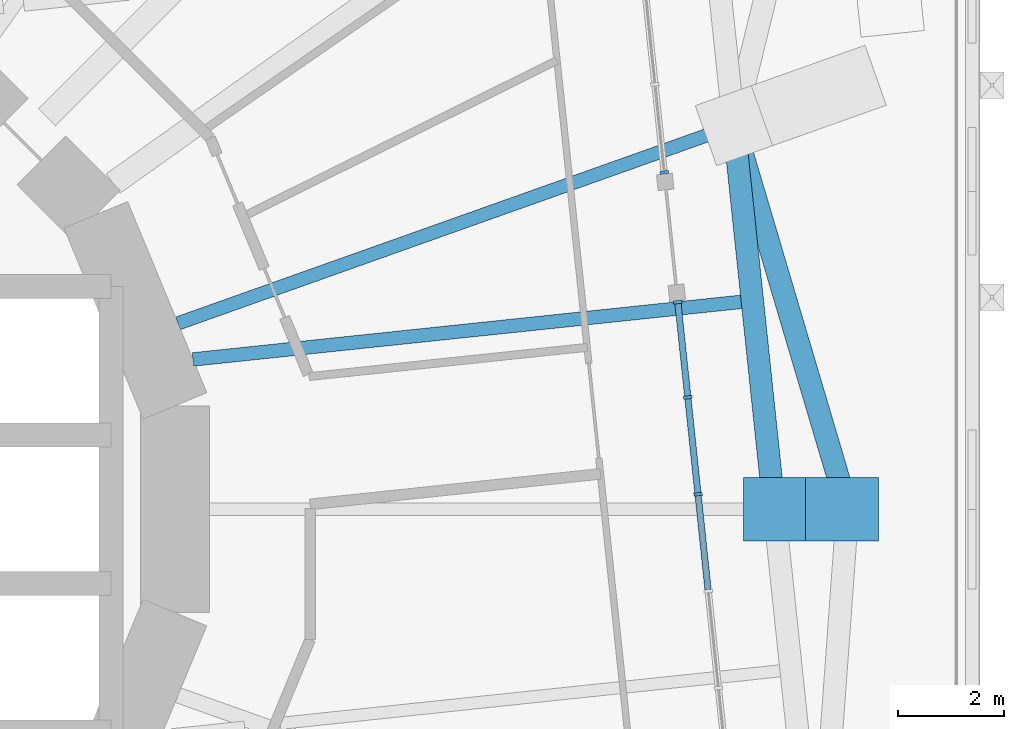
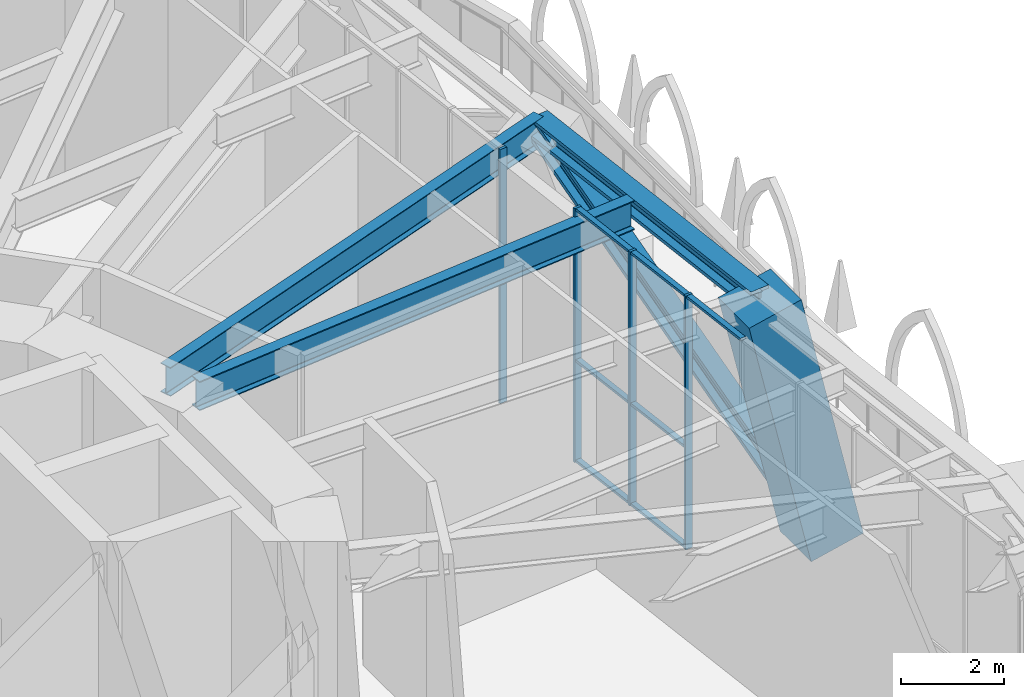
# One storey, part 7 of 20: 14 members, 2 beams, 2 elements without a shape of their own.
"""IFC4 building model written with IfcOpenShell, lengths in metres."""

from ifc_helpers import new_model, si_unit, direction, frame, origin, origin_2d, place, context, subcontext, project, spatial, rectangle, i_section, extrude, material, material_profile, profile_set, type_object, element, aggregate, save


model = new_model("IFC4")

# Units and contexts
model_context = context("Model", 3, precision=1e-05, world=origin(), true_north=direction((0.0, 1.0)))
body_context = subcontext(model_context, "Body", "Model", "MODEL_VIEW")
ifc_project = project(units=[si_unit("LENGTHUNIT", "METRE"), si_unit("AREAUNIT", "SQUARE_METRE"), si_unit("VOLUMEUNIT", "CUBIC_METRE"), si_unit("PLANEANGLEUNIT", "RADIAN"), si_unit("MASSUNIT", "GRAM", prefix="KILO")], contexts=[model_context])

# Site, building, storey
site_placement = place(None, origin())
site = spatial("IfcSite", under=ifc_project, at=site_placement, CompositionType="ELEMENT")
building_placement = place(site_placement, origin())
building = spatial("IfcBuilding", under=site, at=building_placement, Name="Nakasero Lantern House", CompositionType="ELEMENT")
storey_placement = place(building_placement, frame((0.0, 0.0, 54.5)))
storey = spatial("IfcBuildingStorey", under=building, at=storey_placement, Name="L13", CompositionType="ELEMENT", Elevation=54.5)

# Members
ifc_material_1 = material(Name="Steel S355", Category="steel")
ifc_material_profile_1 = material_profile(ifc_material_1, i_section(OverallWidth=0.424072265625, OverallDepth=0.474609375, WebThickness=0.047607421875, FlangeThickness=0.076904296875, FilletRadius=0.01513671875, at=origin_2d()), Name="UC 356x406x634")
ifc_profile_set_1 = profile_set([ifc_material_profile_1], Name="Steel S355")
member_type_1 = type_object("IfcMemberType", Name="Belt truss chord UC 356x406x634", PredefinedType="CHORD", material=ifc_profile_set_1)
member_1_placement = place(storey_placement, frame((21.11572265625, 0.0, 5.562744140625), z_axis=(-0.104538087767, 0.994520883746, 0.0), x_axis=(-0.994520883746, -0.104538087767, 0.0)))
element("IfcMember", 1, at=member_1_placement, inside=storey, type_object=member_type_1, Name="Belt truss top chord T1 B2-C03T", PredefinedType="CHORD", context=body_context, shape_type="SweptSolid", body=[
    extrude(i_section(OverallWidth=0.424072265625, OverallDepth=0.474609375, WebThickness=0.047607421875, FlangeThickness=0.076904296875, FilletRadius=0.01513671875, at=origin_2d()), origin(), (0.0, 0.0, 1.0), 7.277099609375),
])
ifc_material_2 = material(Name="Steel S355", Category="steel")
ifc_material_profile_2 = material_profile(ifc_material_2, i_section(OverallWidth=0.424072265625, OverallDepth=0.474609375, WebThickness=0.047607421875, FlangeThickness=0.076904296875, FilletRadius=0.01513671875, at=origin_2d()), Name="UC 356x406x634")
ifc_profile_set_2 = profile_set([ifc_material_profile_2], Name="Steel S355")
member_type_2 = type_object("IfcMemberType", Name="Belt truss diagonal UC 356x406x634", PredefinedType="BRACE", material=ifc_profile_set_2)
member_2_placement = place(storey_placement, frame((22.5, 0.0, -0.437255859375), z_axis=(-0.222452457992, 0.750555504749, 0.622238971958), x_axis=(-0.958775269675, -0.284165413553, 0.0)))
element("IfcMember", 2, at=member_2_placement, inside=storey, type_object=member_type_2, Name="Belt truss diagonal T1-03", PredefinedType="BRACE", context=body_context, shape_type="SweptSolid", body=[
    extrude(i_section(OverallWidth=0.424072265625, OverallDepth=0.474609375, WebThickness=0.047607421875, FlangeThickness=0.076904296875, FilletRadius=0.01513671875, at=origin_2d()), origin(), (0.0, 0.0, 1.0), 9.642578125),
])

# Beam
ifc_material_3 = material(Name="Steel S355", Category="steel")
ifc_material_profile_3 = material_profile(ifc_material_3, i_section(OverallWidth=0.255859375, OverallDepth=0.69287109375, WebThickness=0.014404296875, FlangeThickness=0.023681640625, FilletRadius=0.01513671875, at=origin_2d()), Name="UB 686x254x170")
ifc_profile_set_3 = profile_set([ifc_material_profile_3], Name="Steel S355")
beam_type_1 = type_object("IfcBeamType", Name="Infill beam UB 686x254x170", PredefinedType="JOIST", material=ifc_profile_set_3)
beam_1_placement = place(storey_placement, frame((10.148681640625, 2.826416015625, 5.45361328125), z_axis=(0.994523190506, 0.104516140125, 0.0), x_axis=(-0.104516140125, 0.994523190506, 0.0)))
element("IfcBeam", 3, at=beam_1_placement, inside=storey, type_object=beam_type_1, Name="Infill beam L14 08.1", PredefinedType="JOIST", context=body_context, shape_type="SweptSolid", body=[
    extrude(i_section(OverallWidth=0.255859375, OverallDepth=0.69287109375, WebThickness=0.014404296875, FlangeThickness=0.023681640625, FilletRadius=0.01513671875, at=origin_2d()), origin(), (0.0, 0.0, 1.0), 10.3994140625),
])

# Curtain wall, members
ifc_material_4 = material(Name="Aluminium 6063-T6 and glass", Category="aluminium")
curtain_wall_type = type_object("IfcCurtainWallType", Name="Sky lounge glazing CW-3", PredefinedType="USERDEFINED", material=ifc_material_4)
curtain_wall_1_placement = place(storey_placement, origin())
curtain_wall_1 = element("IfcCurtainWall", 4, at=curtain_wall_1_placement, inside=storey, type_object=curtain_wall_type, Name="Curtain wall CW-3 L13", ObjectType="STICK CURTAIN WALL", PredefinedType="USERDEFINED")
ifc_material_5 = material(Name="Aluminium 6063-T6", Category="aluminium")
ifc_material_profile_4 = material_profile(ifc_material_5, rectangle(XDim=0.06005859375, YDim=0.159912109375, at=origin_2d()), Name="CW-3 mullion 60x160")
ifc_profile_set_4 = profile_set([ifc_material_profile_4], Name="Aluminium 6063-T6")
member_type_3 = type_object("IfcMemberType", Name="Mullion CW-3", PredefinedType="MULLION", material=ifc_profile_set_4)
member_3_placement = place(storey_placement, frame((19.67724609375, 0.283447265625, 0.0), z_axis=(0.0, 0.0, 1.0), x_axis=(-0.104528463268, 0.994521895368, 0.0)))
member_3 = element("IfcMember", 5, at=member_3_placement, type_object=member_type_3, Name="CW-3 mullion 7", PredefinedType="MULLION", context=body_context, shape_type="SweptSolid", body=[
    extrude(rectangle(XDim=0.06005859375, YDim=0.159912109375, at=origin_2d()), origin(), (0.0, 0.0, 1.0), 6.0),
])
member_4_placement = place(storey_placement, frame((19.485107421875, 2.11083984375, 0.0), z_axis=(0.0, 0.0, 1.0), x_axis=(-0.104528463268, 0.994521895368, 0.0)))
member_4 = element("IfcMember", 6, at=member_4_placement, type_object=member_type_3, Name="CW-3 mullion 8", PredefinedType="MULLION", context=body_context, shape_type="SweptSolid", body=[
    extrude(rectangle(XDim=0.06005859375, YDim=0.159912109375, at=origin_2d()), origin(), (0.0, 0.0, 1.0), 6.0),
])
member_5_placement = place(storey_placement, frame((19.296142578125, 3.908447265625, 0.0), z_axis=(0.0, 0.0, 1.0), x_axis=(-0.104528463268, 0.994521895368, 0.0)))
member_5 = element("IfcMember", 7, at=member_5_placement, type_object=member_type_3, Name="CW-3 mullion 9", PredefinedType="MULLION", context=body_context, shape_type="SweptSolid", body=[
    extrude(rectangle(XDim=0.06005859375, YDim=0.159912109375, at=origin_2d()), origin(), (0.0, 0.0, 1.0), 6.0),
])

# Curtain wall, member
curtain_wall_2_placement = place(storey_placement, origin())
curtain_wall_2 = element("IfcCurtainWall", 8, at=curtain_wall_2_placement, inside=storey, type_object=curtain_wall_type, Name="Curtain wall CW-3 L13", ObjectType="STICK CURTAIN WALL", PredefinedType="USERDEFINED")
member_6_placement = place(storey_placement, frame((19.0390625, 6.35498046875, 0.0), z_axis=(0.0, 0.0, 1.0), x_axis=(-0.104528463268, 0.994521895368, 0.0)))
member_6 = element("IfcMember", 9, at=member_6_placement, type_object=member_type_3, Name="CW-3 mullion 1", PredefinedType="MULLION", context=body_context, shape_type="SweptSolid", body=[
    extrude(rectangle(XDim=0.06005859375, YDim=0.159912109375, at=origin_2d()), origin(), (0.0, 0.0, 1.0), 6.0),
])
aggregate(curtain_wall_2, [member_6])

# Beam
ifc_material_6 = material(Name="Steel S355", Category="steel")
ifc_material_profile_5 = material_profile(ifc_material_6, i_section(OverallWidth=0.253662109375, OverallDepth=0.68359375, WebThickness=0.012451171875, FlangeThickness=0.01904296875, FilletRadius=0.01513671875, at=origin_2d()), Name="UB 686x254x140")
ifc_profile_set_5 = profile_set([ifc_material_profile_5], Name="Steel S355")
beam_type_2 = type_object("IfcBeamType", Name="Primary beam UB 686x254x140, span 9 to 12 m", PredefinedType="BEAM", material=ifc_profile_set_5)
beam_2_placement = place(storey_placement, frame((20.35498046875, 7.2373046875, 5.458251953125), z_axis=(-0.942214844119, -0.335009234979, 0.0), x_axis=(0.335009234979, -0.942214844119, 0.0)))
element("IfcBeam", 10, at=beam_2_placement, inside=storey, type_object=beam_type_2, Name="Primary beam L14 B2-C04T", PredefinedType="BEAM", context=body_context, shape_type="SweptSolid", body=[
    extrude(i_section(OverallWidth=0.253662109375, OverallDepth=0.68359375, WebThickness=0.012451171875, FlangeThickness=0.01904296875, FilletRadius=0.01513671875, at=origin_2d()), origin(), (0.0, 0.0, 1.0), 11.1318359375),
])

# Member
ifc_material_7 = material(Name="Concrete C50/60", Category="concrete")
ifc_material_profile_6 = material_profile(ifc_material_7, rectangle(XDim=1.199951171875, YDim=1.199951171875, at=origin_2d()), Name="RC 1200x1200")
ifc_profile_set_6 = profile_set([ifc_material_profile_6], Name="Concrete C50/60")
member_type_4 = type_object("IfcMemberType", Name="Raking column RC 1200x1200 C50/60", PredefinedType="STRUT", material=ifc_profile_set_6)
member_7_placement = place(storey_placement, frame((22.5, 0.0, -0.437255859375), z_axis=(-0.224807384101, 0.0, 0.974403222518), x_axis=(0.0, -1.0, 0.0)))
element("IfcMember", 11, at=member_7_placement, inside=storey, type_object=member_type_4, Name="Raking column B2-C03T L13", PredefinedType="STRUT", context=body_context, shape_type="SweptSolid", body=[
    extrude(rectangle(XDim=1.199951171875, YDim=1.199951171875, at=origin_2d()), origin(), (0.0, 0.0, 1.0), 6.15771484375),
])

ifc_material_8 = material(Name="Aluminium 6063-T6", Category="aluminium")
ifc_material_profile_7 = material_profile(ifc_material_8, rectangle(XDim=0.06005859375, YDim=0.1201171875, at=origin_2d()), Name="CW-3 transom 60x120")
ifc_profile_set_7 = profile_set([ifc_material_profile_7], Name="Aluminium 6063-T6")
member_type_5 = type_object("IfcMemberType", Name="Transom CW-3", PredefinedType="USERDEFINED", material=ifc_profile_set_7)
member_8_placement = place(storey_placement, frame((19.8662109375, -1.51416015625, 5.969970703125), z_axis=(-0.104520344117, 0.994522748692, 0.0), x_axis=(0.0, 0.0, 1.0)))
member_8 = element("IfcMember", 12, at=member_8_placement, type_object=member_type_5, Name="CW-3 transom 6.3", ObjectType="TRANSOM", PredefinedType="USERDEFINED", context=body_context, shape_type="SweptSolid", body=[
    extrude(rectangle(XDim=0.06005859375, YDim=0.1201171875, at=origin_2d()), origin(), (0.0, 0.0, 1.0), 1.777587890625),
])

member_9_placement = place(storey_placement, frame((19.674072265625, 0.313232421875, 0.030029296875), z_axis=(-0.104520344117, 0.994522748692, 0.0), x_axis=(0.0, 0.0, 1.0)))
member_9 = element("IfcMember", 13, at=member_9_placement, type_object=member_type_5, Name="CW-3 transom 7.1", ObjectType="TRANSOM", PredefinedType="USERDEFINED", context=body_context, shape_type="SweptSolid", body=[
    extrude(rectangle(XDim=0.06005859375, YDim=0.1201171875, at=origin_2d()), origin(), (0.0, 0.0, 1.0), 1.777587890625),
])

member_10_placement = place(storey_placement, frame((19.674072265625, 0.313232421875, 2.39990234375), z_axis=(-0.104520344117, 0.994522748692, 0.0), x_axis=(0.0, 0.0, 1.0)))
member_10 = element("IfcMember", 14, at=member_10_placement, type_object=member_type_5, Name="CW-3 transom 7.2", ObjectType="TRANSOM", PredefinedType="USERDEFINED", context=body_context, shape_type="SweptSolid", body=[
    extrude(rectangle(XDim=0.06005859375, YDim=0.1201171875, at=origin_2d()), origin(), (0.0, 0.0, 1.0), 1.777587890625),
])

member_11_placement = place(storey_placement, frame((19.674072265625, 0.313232421875, 5.969970703125), z_axis=(-0.104520344117, 0.994522748692, 0.0), x_axis=(0.0, 0.0, 1.0)))
member_11 = element("IfcMember", 15, at=member_11_placement, type_object=member_type_5, Name="CW-3 transom 7.3", ObjectType="TRANSOM", PredefinedType="USERDEFINED", context=body_context, shape_type="SweptSolid", body=[
    extrude(rectangle(XDim=0.06005859375, YDim=0.1201171875, at=origin_2d()), origin(), (0.0, 0.0, 1.0), 1.777587890625),
])

member_12_placement = place(storey_placement, frame((19.48193359375, 2.140625, 0.030029296875), z_axis=(-0.104495709004, 0.994525337435, 0.0), x_axis=(0.0, 0.0, 1.0)))
member_12 = element("IfcMember", 16, at=member_12_placement, type_object=member_type_5, Name="CW-3 transom 8.1", ObjectType="TRANSOM", PredefinedType="USERDEFINED", context=body_context, shape_type="SweptSolid", body=[
    extrude(rectangle(XDim=0.06005859375, YDim=0.1201171875, at=origin_2d()), origin(), (0.0, 0.0, 1.0), 1.74755859375),
])

member_13_placement = place(storey_placement, frame((19.48193359375, 2.140625, 2.39990234375), z_axis=(-0.104495709004, 0.994525337435, 0.0), x_axis=(0.0, 0.0, 1.0)))
member_13 = element("IfcMember", 17, at=member_13_placement, type_object=member_type_5, Name="CW-3 transom 8.2", ObjectType="TRANSOM", PredefinedType="USERDEFINED", context=body_context, shape_type="SweptSolid", body=[
    extrude(rectangle(XDim=0.06005859375, YDim=0.1201171875, at=origin_2d()), origin(), (0.0, 0.0, 1.0), 1.74755859375),
])

member_14_placement = place(storey_placement, frame((19.48193359375, 2.140625, 5.969970703125), z_axis=(-0.104495709004, 0.994525337435, 0.0), x_axis=(0.0, 0.0, 1.0)))
member_14 = element("IfcMember", 18, at=member_14_placement, type_object=member_type_5, Name="CW-3 transom 8.3", ObjectType="TRANSOM", PredefinedType="USERDEFINED", context=body_context, shape_type="SweptSolid", body=[
    extrude(rectangle(XDim=0.06005859375, YDim=0.1201171875, at=origin_2d()), origin(), (0.0, 0.0, 1.0), 1.74755859375),
])

aggregate(curtain_wall_1, [member_3, member_4, member_5, member_8, member_9, member_10, member_11, member_12, member_13, member_14])

save(model, "model.ifc")
